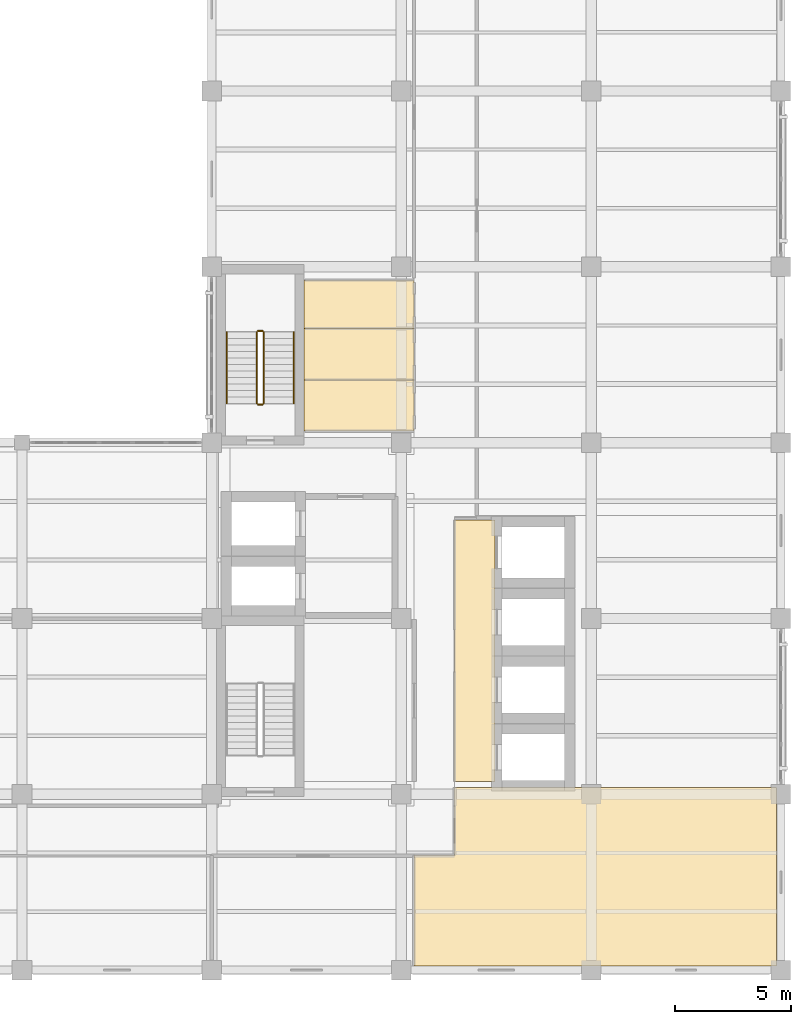
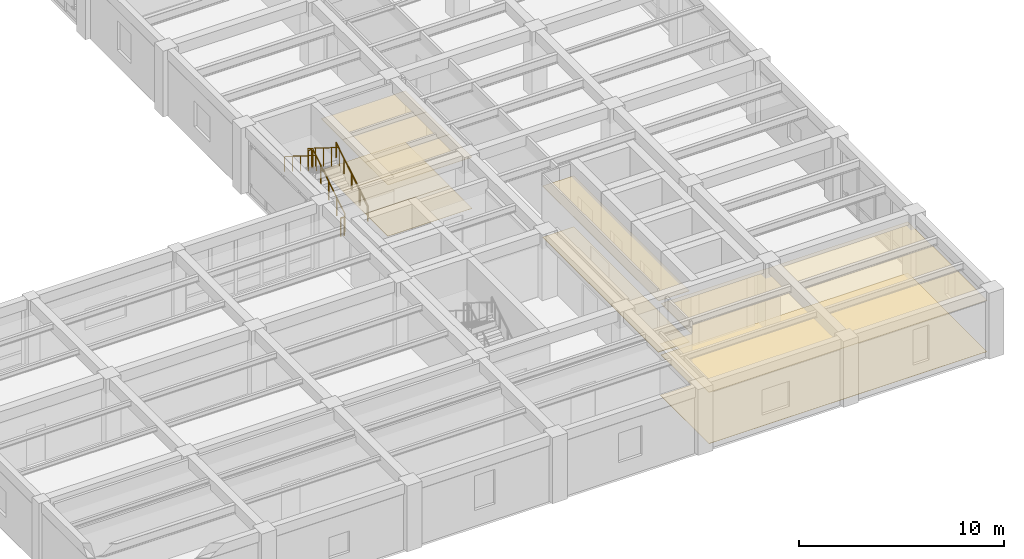
# One storey, part 14 of 16: 10 coverings, 6 railings.
"""IFC4 building model written with IfcOpenShell, lengths in metres."""

import ifcopenshell
import ifcopenshell.guid

model = None  # the IFC model being written
_history = None  # IfcOwnerHistory: only IFC2X3 demands one
_inside = {}  # id of a spatial element -> (the spatial element, [elements in it])
_under = {}  # id of a project, library or spatial element -> (it, [spatial elements below it])
_declared = {}  # id of a project -> (the project, [libraries it declares])
_typed = {}  # id of a type object -> (the type object, [elements of that type])
_made_of = {}  # id of a material, layer set ... -> (it, [elements and type objects made of it])


def new_model(schema):
    """Start an empty IFC model of exactly this schema.

    Asked for "IFC4X3", IfcOpenShell would pick the latest addendum, in which some entities
    have other attributes; the version numbers below select the first issue.
    IFC2X3 requires an IfcOwnerHistory on every rooted entity: one is made here for all.
    """
    global model, _history
    if schema == "IFC4X3":
        model = ifcopenshell.file(schema_version=(4, 3, 0, 0))
    else:
        model = ifcopenshell.file(schema=schema)
    _inside.clear()
    _under.clear()
    _declared.clear()
    _typed.clear()
    _made_of.clear()
    _history = None
    if model.schema == "IFC2X3":
        org = make("IfcOrganization", Name="unknown")
        user = make(
            "IfcPersonAndOrganization",
            ThePerson=make("IfcPerson", FamilyName="unknown"),
            TheOrganization=org,
        )
        app = make(
            "IfcApplication",
            ApplicationDeveloper=org,
            Version="unknown",
            ApplicationFullName="unknown",
            ApplicationIdentifier="unknown",
        )
        _history = make(
            "IfcOwnerHistory",
            OwningUser=user,
            OwningApplication=app,
            ChangeAction="ADDED",
            CreationDate=0,
        )
    return model


def make(cls, **values):
    """One entity of the class cls with the attributes given. An attribute that is None is left unset."""
    return model.create_entity(
        cls, **{name: value for name, value in values.items() if value is not None}
    )


def rooted(cls, **values):
    """An entity with a GlobalId (a new one), such as an element, a storey or a relation."""
    return make(cls, GlobalId=ifcopenshell.guid.new(), OwnerHistory=_history, **values)


def si_unit(unit_type, name, prefix=None):
    """IfcSIUnit, for example si_unit("LENGTHUNIT", "METRE", prefix="MILLI")."""
    return make("IfcSIUnit", UnitType=unit_type, Prefix=prefix, Name=name)


def assignment(units):
    """IfcUnitAssignment: the units of a project."""
    return None if units is None else make("IfcUnitAssignment", Units=units)


def point(xyz):
    """IfcCartesianPoint."""
    return None if xyz is None else make("IfcCartesianPoint", Coordinates=xyz)


def direction(xyz):
    """IfcDirection."""
    return None if xyz is None else make("IfcDirection", DirectionRatios=xyz)


def frame(location, z_axis=None, x_axis=None):
    """IfcAxis2Placement3D, a coordinate frame: its origin and axes. An axis left out is left unset."""
    return make(
        "IfcAxis2Placement3D",
        Location=point(location),
        Axis=direction(z_axis),
        RefDirection=direction(x_axis),
    )


def frame_2d(location, x_axis=None):
    """IfcAxis2Placement2D, a coordinate frame in the plane: its origin and x axis."""
    return make(
        "IfcAxis2Placement2D", Location=point(location), RefDirection=direction(x_axis)
    )


def origin():
    """The frame at (0, 0, 0) with its axes left unset."""
    return frame((0.0, 0.0, 0.0))


def origin_2d():
    """The frame at (0, 0) in the plane with its x axis left unset."""
    return frame_2d((0.0, 0.0))


def place(relative_to, where):
    """IfcLocalPlacement: puts the frame where relative to a parent placement (None: the world)."""
    return make(
        "IfcLocalPlacement", PlacementRelTo=relative_to, RelativePlacement=where
    )


def context(
    kind, dimensions, precision=None, world=None, true_north=None, identifier=None
):
    """IfcGeometricRepresentationContext, for example the 3D "Model" context."""
    return make(
        "IfcGeometricRepresentationContext",
        ContextIdentifier=identifier,
        ContextType=kind,
        CoordinateSpaceDimension=dimensions,
        Precision=precision,
        WorldCoordinateSystem=world,
        TrueNorth=true_north,
    )


def subcontext(parent, identifier, kind, view, scale=None):
    """IfcGeometricRepresentationSubContext, for example "Body" below "Model"."""
    return make(
        "IfcGeometricRepresentationSubContext",
        ContextIdentifier=identifier,
        ContextType=kind,
        ParentContext=parent,
        TargetScale=scale,
        TargetView=view,
    )


def project(units=None, contexts=None):
    """IfcProject with its units and contexts."""
    return rooted(
        "IfcProject",
        Name="project",
        RepresentationContexts=contexts,
        UnitsInContext=assignment(units),
    )


def spatial(cls, under=None, at=None, **own):
    """A site, building, storey or space (cls), placed at a placement, below another one or the project."""
    s = rooted(cls, ObjectPlacement=at, **own)
    if under is not None:
        _under.setdefault(under.id(), (under, []))[1].append(s)
    return s


def polyline(points):
    """IfcPolyline through the points."""
    return make("IfcPolyline", Points=[point(p) for p in points])


def profile(cls, at=None, kind="AREA", **sizes):
    """A parametric profile (cls). Its sizes go by their IFC names, for example OverallWidth=200.0."""
    return make(cls, ProfileType=kind, Position=at, **sizes)


def circle(**sizes):
    """IfcCircleProfileDef."""
    return profile("IfcCircleProfileDef", **sizes)


def outline(outer, holes=None, kind="AREA"):
    """IfcArbitraryClosedProfileDef: a profile drawn as a closed curve; with holes, ...WithVoids."""
    if holes is None:
        return make("IfcArbitraryClosedProfileDef", ProfileType=kind, OuterCurve=outer)
    return make(
        "IfcArbitraryProfileDefWithVoids",
        ProfileType=kind,
        OuterCurve=outer,
        InnerCurves=holes,
    )


def extrude(swept, where, along, depth):
    """IfcExtrudedAreaSolid: the profile swept, set in the frame where, extruded along a direction by depth."""
    return make(
        "IfcExtrudedAreaSolid",
        SweptArea=swept,
        Position=where,
        ExtrudedDirection=direction(along),
        Depth=depth,
    )


def shape(context_of_items, identifier, shape_type, items):
    """IfcShapeRepresentation: the items that make up one representation, for example the "Body"."""
    return make(
        "IfcShapeRepresentation",
        ContextOfItems=context_of_items,
        RepresentationIdentifier=identifier,
        RepresentationType=shape_type,
        Items=items,
    )


def material(Name=None, Category=None):
    """IfcMaterial."""
    return make("IfcMaterial", Name=Name, Category=Category)


def layer(
    of_material, thickness, ventilated=None, Name=None, Category=None, Priority=None
):
    """IfcMaterialLayer: one layer of a wall or slab, of a material (None: an air gap)."""
    return make(
        "IfcMaterialLayer",
        Material=of_material,
        LayerThickness=thickness,
        IsVentilated=ventilated,
        Name=Name,
        Category=Category,
        Priority=Priority,
    )


def layer_set(layers, Name=None):
    """IfcMaterialLayerSet."""
    return make("IfcMaterialLayerSet", MaterialLayers=layers, LayerSetName=Name)


def made_of(thing, what):
    """Note that an element or type object is made of a material, layer set ...; save() writes the relation."""
    if what is not None:
        _made_of.setdefault(what.id(), (what, []))[1].append(thing)
    return thing


def type_object(cls, material=None, **own):
    """A type object (cls), such as IfcWallType, which elements share."""
    return made_of(rooted(cls, **own), material)


def element(
    cls,
    number,
    at=None,
    inside=None,
    cuts=None,
    type_object=None,
    material=None,
    context=None,
    identifier="Body",
    shape_type=None,
    held_by="IfcProductDefinitionShape",
    body=None,
    shapes=None,
    **own,
):
    """One element of the class cls, such as IfcWall. Its Tag is "e" and its number.

    at: its placement. inside: the storey or other place that contains it. cuts: it is an
    opening in that element (IfcRelVoidsElement). A single representation is given by context,
    identifier, shape_type and body (its items); several are given by shapes. held_by: the class
    of the entity that holds the representations. save() writes the other relations.
    """
    e = rooted(cls, Tag="e%d" % number, ObjectPlacement=at, **own)
    if body is not None:
        shapes = [shape(context, identifier, shape_type, body)]
    if shapes is not None:
        e.Representation = make(held_by, Representations=shapes)
    if inside is not None:
        _inside.setdefault(inside.id(), (inside, []))[1].append(e)
    if cuts is not None:
        rooted(
            "IfcRelVoidsElement", RelatingBuildingElement=cuts, RelatedOpeningElement=e
        )
    if type_object is not None:
        _typed.setdefault(type_object.id(), (type_object, []))[1].append(e)
    return made_of(e, material)


def aggregate(whole, parts):
    """IfcRelAggregates: a whole, such as a stair, and the parts it consists of."""
    return rooted("IfcRelAggregates", RelatingObject=whole, RelatedObjects=parts)


def save(model, path):
    """Write the relations noted so far, then the file.

    IfcRelAggregates (storeys below a building ...), IfcRelContainedInSpatialStructure (elements
    in a storey), IfcRelDefinesByType, IfcRelAssociatesMaterial and IfcRelDeclares: one each for
    every whole, place, type object, material and project.
    """
    for whole, parts in _under.values():
        aggregate(whole, parts)
    for where, things in _inside.values():
        rooted(
            "IfcRelContainedInSpatialStructure",
            RelatedElements=things,
            RelatingStructure=where,
        )
    for kind, things in _typed.values():
        rooted("IfcRelDefinesByType", RelatedObjects=things, RelatingType=kind)
    for what, things in _made_of.values():
        rooted("IfcRelAssociatesMaterial", RelatedObjects=things, RelatingMaterial=what)
    for by, libraries in _declared.values():
        rooted("IfcRelDeclares", RelatingContext=by, RelatedDefinitions=libraries)
    model.write(path)


model = new_model("IFC4")

# Units and contexts
model_context = context("Model", 3, precision=1e-05, world=origin(), true_north=direction((0.0, 1.0)))
body_context = subcontext(model_context, "Body", "Model", "MODEL_VIEW")
ifc_project = project(units=[si_unit("LENGTHUNIT", "METRE"), si_unit("AREAUNIT", "SQUARE_METRE"), si_unit("VOLUMEUNIT", "CUBIC_METRE"), si_unit("PLANEANGLEUNIT", "RADIAN"), si_unit("MASSUNIT", "GRAM", prefix="KILO")], contexts=[model_context])

# Site, building, storey
site_placement = place(None, origin())
site = spatial("IfcSite", under=ifc_project, at=site_placement, CompositionType="ELEMENT")
building_placement = place(site_placement, origin())
building = spatial("IfcBuilding", under=site, at=building_placement, Name="Qandaris Square Conservatory and Botanical Centre", CompositionType="ELEMENT")
storey_placement = place(building_placement, frame((0.0, 0.0, 24.0)))
storey = spatial("IfcBuildingStorey", under=building, at=storey_placement, Name="L05", CompositionType="ELEMENT", Elevation=24.0)

# Coverings
ifc_material_1 = material(Name="Honed Qatari Limestone", Category="masonry")
ifc_layer_1 = layer(ifc_material_1, 0.030029296875)
ifc_layer_set_1 = layer_set([ifc_layer_1], Name="Honed Qatari Limestone")
covering_type_1 = type_object("IfcCoveringType", Name="Honed Qatari Limestone Concourse Paving", PredefinedType="FLOORING", material=ifc_layer_set_1)
covering_1_placement = place(storey_placement, origin())
element("IfcCovering", 1, at=covering_1_placement, inside=storey, type_object=covering_type_1, Name="Passenger Lift Lobby L05 Flooring", PredefinedType="FLOORING", context=body_context, shape_type="SweptSolid", body=[
    extrude(outline(polyline([(149.699951171875, 36.050048828125), (151.449951171875, 36.050048828125), (151.449951171875, 24.75), (149.699951171875, 24.75), (149.699951171875, 36.050048828125)])), origin(), (0.0, 0.0, 1.0), 0.030029296875),
])
ifc_material_2 = material(Name="Gypsum Plasterboard", Category="gypsum")
ifc_layer_2 = layer(ifc_material_2, 0.02490234375)
ifc_layer_set_2 = layer_set([ifc_layer_2], Name="Gypsum Plasterboard")
covering_type_2 = type_object("IfcCoveringType", Name="Perforated Acoustic Lab Ceiling Tile", PredefinedType="CEILING", material=ifc_layer_set_2)
covering_2_placement = place(storey_placement, frame((0.0, 0.0, 3.050048828125)))
element("IfcCovering", 2, at=covering_2_placement, inside=storey, type_object=covering_type_2, Name="Passenger Lift Lobby L05 Ceiling", PredefinedType="CEILING", context=body_context, shape_type="SweptSolid", body=[
    extrude(outline(polyline([(149.699951171875, 36.050048828125), (151.449951171875, 36.050048828125), (151.449951171875, 24.75), (149.699951171875, 24.75), (149.699951171875, 36.050048828125)])), origin(), (0.0, 0.0, 1.0), 0.02490234375),
])
covering_3_placement = place(storey_placement, frame((0.0, 0.0, 3.050048828125)))
element("IfcCovering", 3, at=covering_3_placement, inside=storey, type_object=covering_type_2, Name="Accessible Toilet L05 Ceiling", PredefinedType="CEILING", context=body_context, shape_type="SweptSolid", body=[
    extrude(outline(polyline([(147.949951171875, 42.1201171875), (147.949951171875, 39.89990234375), (143.199951171875, 39.89990234375), (143.199951171875, 42.1201171875), (147.949951171875, 42.1201171875)])), origin(), (0.0, 0.0, 1.0), 0.02490234375),
])
covering_4_placement = place(storey_placement, frame((0.0, 0.0, 3.050048828125)))
element("IfcCovering", 4, at=covering_4_placement, inside=storey, type_object=covering_type_2, Name="Staff Male Toilet L05 Ceiling", PredefinedType="CEILING", context=body_context, shape_type="SweptSolid", body=[
    extrude(outline(polyline([(147.949951171875, 44.340087890625), (147.949951171875, 42.1201171875), (143.199951171875, 42.1201171875), (143.199951171875, 44.340087890625), (147.949951171875, 44.340087890625)])), origin(), (0.0, 0.0, 1.0), 0.02490234375),
])
covering_5_placement = place(storey_placement, frame((0.0, 0.0, 3.050048828125)))
element("IfcCovering", 5, at=covering_5_placement, inside=storey, type_object=covering_type_2, Name="Staff Female Toilet L05 Ceiling", PredefinedType="CEILING", context=body_context, shape_type="SweptSolid", body=[
    extrude(outline(polyline([(147.949951171875, 46.419921875), (147.949951171875, 44.340087890625), (143.199951171875, 44.340087890625), (143.199951171875, 46.419921875), (147.949951171875, 46.419921875)])), origin(), (0.0, 0.0, 1.0), 0.02490234375),
])
covering_6_placement = place(storey_placement, frame((0.0, 0.0, 3.050048828125)))
element("IfcCovering", 6, at=covering_6_placement, inside=storey, type_object=covering_type_2, Name="Floor L05 Instrument and Balance Room Ceiling", PredefinedType="CEILING", context=body_context, shape_type="SweptSolid", body=[
    extrude(outline(polyline([(147.949951171875, 21.550048828125), (149.699951171875, 21.550048828125), (149.699951171875, 23.699951171875), (149.699951171875, 24.5), (163.6201171875, 24.5), (163.6201171875, 16.780029296875), (147.949951171875, 16.780029296875), (147.949951171875, 21.550048828125)])), origin(), (0.0, 0.0, 1.0), 0.02490234375),
])
ifc_material_3 = material(Name="Epoxy Resin Screed", Category="finish")
ifc_layer_3 = layer(ifc_material_3, 0.014892578125)
ifc_layer_set_3 = layer_set([ifc_layer_3], Name="Epoxy Resin Screed")
covering_type_3 = type_object("IfcCoveringType", Name="Seamless Epoxy Laboratory Flooring", PredefinedType="FLOORING", material=ifc_layer_set_3)
covering_7_placement = place(storey_placement, origin())
element("IfcCovering", 7, at=covering_7_placement, inside=storey, type_object=covering_type_3, Name="Accessible Toilet L05 Flooring", PredefinedType="FLOORING", context=body_context, shape_type="SweptSolid", body=[
    extrude(outline(polyline([(147.949951171875, 42.1201171875), (147.949951171875, 39.89990234375), (143.199951171875, 39.89990234375), (143.199951171875, 42.1201171875), (147.949951171875, 42.1201171875)])), origin(), (0.0, 0.0, 1.0), 0.014892578125),
])
covering_8_placement = place(storey_placement, origin())
element("IfcCovering", 8, at=covering_8_placement, inside=storey, type_object=covering_type_3, Name="Staff Male Toilet L05 Flooring", PredefinedType="FLOORING", context=body_context, shape_type="SweptSolid", body=[
    extrude(outline(polyline([(147.949951171875, 44.340087890625), (147.949951171875, 42.1201171875), (143.199951171875, 42.1201171875), (143.199951171875, 44.340087890625), (147.949951171875, 44.340087890625)])), origin(), (0.0, 0.0, 1.0), 0.014892578125),
])
covering_9_placement = place(storey_placement, origin())
element("IfcCovering", 9, at=covering_9_placement, inside=storey, type_object=covering_type_3, Name="Staff Female Toilet L05 Flooring", PredefinedType="FLOORING", context=body_context, shape_type="SweptSolid", body=[
    extrude(outline(polyline([(147.949951171875, 46.419921875), (147.949951171875, 44.340087890625), (143.199951171875, 44.340087890625), (143.199951171875, 46.419921875), (147.949951171875, 46.419921875)])), origin(), (0.0, 0.0, 1.0), 0.014892578125),
])
covering_10_placement = place(storey_placement, origin())
element("IfcCovering", 10, at=covering_10_placement, inside=storey, type_object=covering_type_3, Name="Floor L05 Instrument and Balance Room Flooring", PredefinedType="FLOORING", context=body_context, shape_type="SweptSolid", body=[
    extrude(outline(polyline([(147.949951171875, 21.550048828125), (149.699951171875, 21.550048828125), (149.699951171875, 23.699951171875), (149.699951171875, 24.5), (163.6201171875, 24.5), (163.6201171875, 16.780029296875), (147.949951171875, 16.780029296875), (147.949951171875, 21.550048828125)])), origin(), (0.0, 0.0, 1.0), 0.014892578125),
])

# Railings
ifc_material_4 = material(Name="Stainless Steel", Category="steel")
railing_type_1 = type_object("IfcRailingType", Name="Stair Tubular Handrail 920mm", PredefinedType="HANDRAIL", material=ifc_material_4)
railing_1_placement = place(storey_placement, frame((142.75, 41.10009765625, 0.35009765625)))
element("IfcRailing", 11, at=railing_1_placement, inside=storey, type_object=railing_type_1, Name="L05 ST-2 stair handrail 1", PredefinedType="HANDRAIL", context=body_context, shape_type="SweptSolid", body=[
    extrude(circle(Radius=0.02392578125, at=origin_2d()), frame((0.0, 0.0, 0.89599609375), z_axis=(0.0, 0.848009633417, 0.529980812513), x_axis=(-1.0, 0.0, 0.0)), (0.0, 0.0, 1.0), 3.6318359375),
    extrude(circle(Radius=0.02099609375, at=origin_2d()), origin(), (0.0, 0.0, 1.0), 0.871826171875),
    extrude(circle(Radius=0.02099609375, at=origin_2d()), frame((0.0, 0.77001953125, 0.481201171875)), (0.0, 0.0, 1.0), 0.871826171875),
    extrude(circle(Radius=0.02099609375, at=origin_2d()), frame((0.0, 1.5400390625, 0.96240234375)), (0.0, 0.0, 1.0), 0.871826171875),
    extrude(circle(Radius=0.02099609375, at=origin_2d()), frame((0.0, 2.309814453125, 1.443603515625)), (0.0, 0.0, 1.0), 0.871826171875),
    extrude(circle(Radius=0.02099609375, at=origin_2d()), frame((0.0, 3.079833984375, 1.9248046875)), (0.0, 0.0, 1.0), 0.871826171875),
])
railing_2_placement = place(storey_placement, frame((139.85009765625, 44.179931640625, 2.449951171875)))
element("IfcRailing", 12, at=railing_2_placement, inside=storey, type_object=railing_type_1, Name="L05 ST-2 stair handrail 2", PredefinedType="HANDRAIL", context=body_context, shape_type="SweptSolid", body=[
    extrude(circle(Radius=0.02392578125, at=origin_2d()), frame((0.0, 0.0, 0.89599609375), z_axis=(0.0, -0.847979421464, 0.530029150871), x_axis=(1.0, 0.0, 0.0)), (0.0, 0.0, 1.0), 3.632080078125),
    extrude(circle(Radius=0.02099609375, at=origin_2d()), origin(), (0.0, 0.0, 1.0), 0.871826171875),
    extrude(circle(Radius=0.02099609375, at=origin_2d()), frame((0.0, -0.77001953125, 0.481201171875)), (0.0, 0.0, 1.0), 0.871826171875),
    extrude(circle(Radius=0.02099609375, at=origin_2d()), frame((0.0, -1.5400390625, 0.96240234375)), (0.0, 0.0, 1.0), 0.871826171875),
    extrude(circle(Radius=0.02099609375, at=origin_2d()), frame((0.0, -2.309814453125, 1.44384765625)), (0.0, 0.0, 1.0), 0.871826171875),
    extrude(circle(Radius=0.02099609375, at=origin_2d()), frame((0.0, -3.079833984375, 1.925048828125)), (0.0, 0.0, 1.0), 0.871826171875),
])
railing_type_2 = type_object("IfcRailingType", Name="Stairwell & Atrium Guardrail 1120mm", PredefinedType="GUARDRAIL", material=ifc_material_4)
railing_3_placement = place(storey_placement, frame((141.449951171875, 41.10009765625, 0.175048828125)))
element("IfcRailing", 13, at=railing_3_placement, inside=storey, type_object=railing_type_2, Name="L05 ST-2 stair guard 1", PredefinedType="GUARDRAIL", context=body_context, shape_type="SweptSolid", body=[
    extrude(circle(Radius=0.02392578125, at=origin_2d()), frame((0.0, 0.0, 1.09619140625), z_axis=(0.0, 0.847979421464, 0.530029150871), x_axis=(-1.0, 0.0, 0.0)), (0.0, 0.0, 1.0), 3.632080078125),
    extrude(circle(Radius=0.02099609375, at=origin_2d()), origin(), (0.0, 0.0, 1.0), 1.072021484375),
    extrude(circle(Radius=0.02099609375, at=origin_2d()), frame((0.0, 0.77001953125, 0.481201171875)), (0.0, 0.0, 1.0), 1.072021484375),
    extrude(circle(Radius=0.02099609375, at=origin_2d()), frame((0.0, 1.5400390625, 0.96240234375)), (0.0, 0.0, 1.0), 1.072021484375),
    extrude(circle(Radius=0.02099609375, at=origin_2d()), frame((0.0, 2.309814453125, 1.44384765625)), (0.0, 0.0, 1.0), 1.072021484375),
    extrude(circle(Radius=0.02099609375, at=origin_2d()), frame((0.0, 3.079833984375, 1.925048828125)), (0.0, 0.0, 1.0), 1.072021484375),
])
railing_4_placement = place(storey_placement, frame((141.39990234375, 44.22998046875, 2.10009765625)))
element("IfcRailing", 14, at=railing_4_placement, inside=storey, type_object=railing_type_2, Name="L05 ST-2 stair guard 2", PredefinedType="GUARDRAIL", context=body_context, shape_type="SweptSolid", body=[
    extrude(circle(Radius=0.02392578125, at=origin_2d()), frame((0.0, 0.0, 1.09619140625), z_axis=(-1.0, 0.0, 0.0), x_axis=(0.0, -1.0, 0.0)), (0.0, 0.0, 1.0), 0.199951171875),
    extrude(circle(Radius=0.02099609375, at=origin_2d()), origin(), (0.0, 0.0, 1.0), 1.072021484375),
    extrude(circle(Radius=0.02099609375, at=origin_2d()), frame((-0.199951171875, 0.0, 0.0)), (0.0, 0.0, 1.0), 1.072021484375),
])
railing_5_placement = place(storey_placement, frame((141.14990234375, 44.179931640625, 2.27490234375)))
element("IfcRailing", 15, at=railing_5_placement, inside=storey, type_object=railing_type_2, Name="L05 ST-2 stair guard 3", PredefinedType="GUARDRAIL", context=body_context, shape_type="SweptSolid", body=[
    extrude(circle(Radius=0.02392578125, at=origin_2d()), frame((0.0, 0.0, 1.09619140625), z_axis=(0.0, -0.847979421464, 0.530029150871), x_axis=(1.0, 0.0, 0.0)), (0.0, 0.0, 1.0), 3.632080078125),
    extrude(circle(Radius=0.02099609375, at=origin_2d()), origin(), (0.0, 0.0, 1.0), 1.072021484375),
    extrude(circle(Radius=0.02099609375, at=origin_2d()), frame((0.0, -0.77001953125, 0.481201171875)), (0.0, 0.0, 1.0), 1.072021484375),
    extrude(circle(Radius=0.02099609375, at=origin_2d()), frame((0.0, -1.5400390625, 0.96240234375)), (0.0, 0.0, 1.0), 1.072021484375),
    extrude(circle(Radius=0.02099609375, at=origin_2d()), frame((0.0, -2.309814453125, 1.44384765625)), (0.0, 0.0, 1.0), 1.072021484375),
    extrude(circle(Radius=0.02099609375, at=origin_2d()), frame((0.0, -3.079833984375, 1.925048828125)), (0.0, 0.0, 1.0), 1.072021484375),
])
railing_6_placement = place(storey_placement, frame((141.39990234375, 41.050048828125, 0.0)))
element("IfcRailing", 16, at=railing_6_placement, inside=storey, type_object=railing_type_2, Name="L05 ST-2 stair guard 4", PredefinedType="GUARDRAIL", context=body_context, shape_type="SweptSolid", body=[
    extrude(circle(Radius=0.02392578125, at=origin_2d()), frame((0.0, 0.0, 1.09619140625), z_axis=(-1.0, 0.0, 0.0), x_axis=(0.0, -1.0, 0.0)), (0.0, 0.0, 1.0), 0.199951171875),
    extrude(circle(Radius=0.02099609375, at=origin_2d()), origin(), (0.0, 0.0, 1.0), 1.072021484375),
    extrude(circle(Radius=0.02099609375, at=origin_2d()), frame((-0.199951171875, 0.0, 0.0)), (0.0, 0.0, 1.0), 1.072021484375),
])

save(model, "model.ifc")
